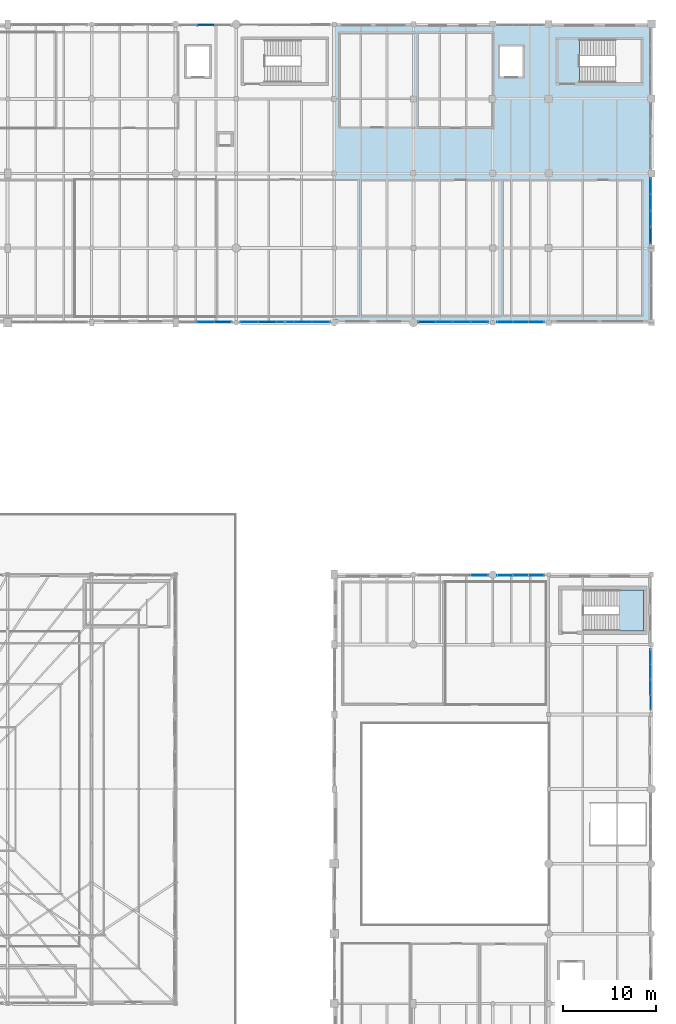
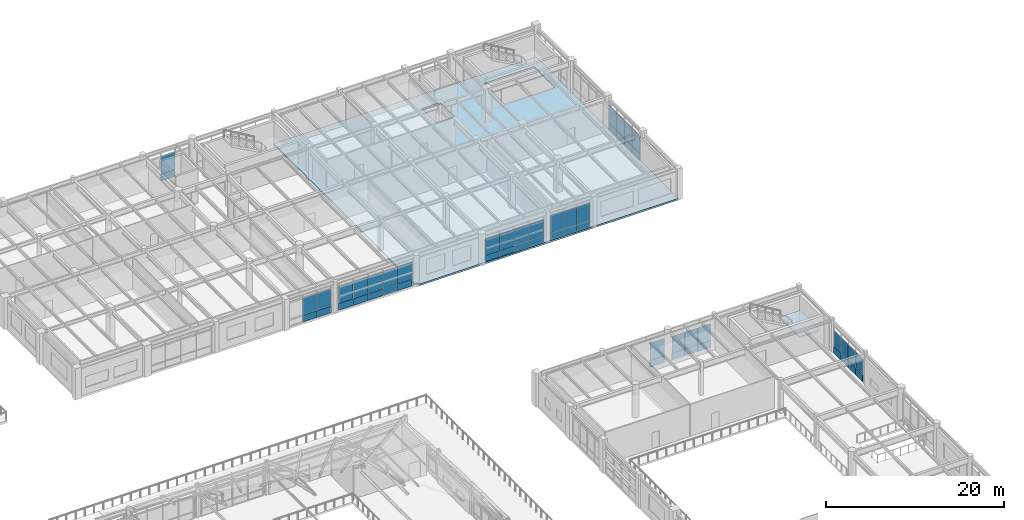
# One storey, part 138 of 168: 54 plates, 2 slabs, 10 elements without a shape of their own.
"""IFC4 building model written with IfcOpenShell, lengths in metres."""

from ifc_helpers import new_model, si_unit, direction, frame, origin, origin_2d, place, context, subcontext, project, spatial, polyline, rectangle, outline, extrude, material, layer, layer_set, type_object, element, aggregate, save


model = new_model("IFC4")

# Units and contexts
model_context = context("Model", 3, precision=1e-05, world=origin(), true_north=direction((0.0, 1.0)))
body_context = subcontext(model_context, "Body", "Model", "MODEL_VIEW")
ifc_project = project(units=[si_unit("LENGTHUNIT", "METRE"), si_unit("AREAUNIT", "SQUARE_METRE"), si_unit("VOLUMEUNIT", "CUBIC_METRE"), si_unit("PLANEANGLEUNIT", "RADIAN"), si_unit("MASSUNIT", "GRAM", prefix="KILO"), si_unit("THERMODYNAMICTEMPERATUREUNIT", "KELVIN"), si_unit("POWERUNIT", "WATT")], contexts=[model_context])

# Site, building, storey
site_placement = place(None, origin())
site = spatial("IfcSite", under=ifc_project, at=site_placement, CompositionType="ELEMENT")
building_placement = place(site_placement, origin())
building = spatial("IfcBuilding", under=site, at=building_placement, Name="Tepalcoro Natatorium and Aquatics Centre", CompositionType="ELEMENT")
storey_placement = place(building_placement, frame((0.0, 0.0, 10.199951171875)))
storey = spatial("IfcBuildingStorey", under=building, at=storey_placement, Name="L02", CompositionType="ELEMENT", Elevation=10.199951171875)

# Curtain wall, plate
ifc_material_1 = material(Name="Bronze-Anodised Extruded Aluminium Alloy EN AW-6063 T6", Category="aluminium")
curtain_wall_type_1 = type_object("IfcCurtainWallType", Name="CW_LEAN_T2_NS", PredefinedType="USERDEFINED", material=ifc_material_1)
curtain_wall_1_placement = place(storey_placement, origin())
curtain_wall_1 = element("IfcCurtainWall", 1, at=curtain_wall_1_placement, inside=storey, type_object=curtain_wall_type_1, Name="V2 L02 N Unitised Curtain Wall Bay 3", ObjectType="FACETED SOLAR GLAZING", PredefinedType="USERDEFINED")
ifc_material_2 = material(Name="Solar-Control Bronze Tempered Low-E Double Glazing", Category="glass")
ifc_layer_1 = layer(ifc_material_2, 0.048095703125)
ifc_layer_set_1 = layer_set([ifc_layer_1], Name="Solar-Control Bronze Tempered Low-E Double Glazing")
plate_type_1 = type_object("IfcPlateType", Name="PL_ACOUSTIC_IGU_48", PredefinedType="CURTAIN_PANEL", material=ifc_layer_set_1)
plate_1_placement = place(storey_placement, frame((162.0, 58.923828125, 0.9599609375), z_axis=(0.0, 0.0, 1.0), x_axis=(1.0, 0.0, 0.0)))
plate_1 = element("IfcPlate", 2, at=plate_1_placement, type_object=plate_type_1, Name="CW_LEAN_T2_NS Insulated Glazing Unit", PredefinedType="CURTAIN_PANEL", context=body_context, shape_type="SweptSolid", body=[
    extrude(rectangle(XDim=1.659912109375, YDim=0.048095703125, at=origin_2d()), origin(), (0.0, 0.0, 1.0), 2.2939453125),
])

curtain_wall_type_2 = type_object("IfcCurtainWallType", Name="CW_V3_FOYER", PredefinedType="USERDEFINED", material=ifc_material_1)
curtain_wall_2_placement = place(storey_placement, origin())
curtain_wall_2 = element("IfcCurtainWall", 3, at=curtain_wall_2_placement, inside=storey, type_object=curtain_wall_type_2, Name="V2 L02 E Unitised Curtain Wall Bay 6", ObjectType="UNITISED STOREFRONT", PredefinedType="USERDEFINED")
plate_2_placement = place(storey_placement, frame((175.9287109375, 48.5673828125, 0.944580078125), z_axis=(0.0, 0.0, 1.0), x_axis=(1.0, 0.0, 0.0)))
plate_2 = element("IfcPlate", 4, at=plate_2_placement, type_object=plate_type_1, Name="CW_V3_FOYER Insulated Glazing Unit", PredefinedType="CURTAIN_PANEL", context=body_context, shape_type="SweptSolid", body=[
    extrude(rectangle(XDim=0.048095703125, YDim=1.614990234375, at=origin_2d()), origin(), (0.0, 0.0, 1.0), 2.2333984375),
])

curtain_wall_type_3 = type_object("IfcCurtainWallType", Name="CW_V5_UPPER", PredefinedType="USERDEFINED", material=ifc_material_1)
curtain_wall_3_placement = place(storey_placement, origin())
curtain_wall_3 = element("IfcCurtainWall", 5, at=curtain_wall_3_placement, inside=storey, type_object=curtain_wall_type_3, Name="V5 L02 S Unitised Curtain Wall Bay 5", ObjectType="FACETED SOLAR GLAZING", PredefinedType="USERDEFINED")
plate_3_placement = place(storey_placement, frame((136.75, 86.0712890625, 0.9599609375), z_axis=(0.0, 0.0, 1.0), x_axis=(1.0, 0.0, 0.0)))
plate_3 = element("IfcPlate", 6, at=plate_3_placement, type_object=plate_type_1, Name="CW_V5_UPPER Insulated Glazing Unit", PredefinedType="CURTAIN_PANEL", context=body_context, shape_type="SweptSolid", body=[
    extrude(rectangle(XDim=1.887939453125, YDim=0.048095703125, at=origin_2d()), origin(), (0.0, 0.0, 1.0), 2.2900390625),
])

curtain_wall_type_4 = type_object("IfcCurtainWallType", Name="CW_LEAN_T1_EW", PredefinedType="USERDEFINED", material=ifc_material_1)
curtain_wall_4_placement = place(storey_placement, origin())
curtain_wall_4 = element("IfcCurtainWall", 7, at=curtain_wall_4_placement, inside=storey, type_object=curtain_wall_type_4, Name="V5 L02 S Unitised Curtain Wall Bay 7", ObjectType="FACETED SOLAR GLAZING", PredefinedType="USERDEFINED")
plate_4_placement = place(storey_placement, frame((153.8076171875, 86.0712890625, 0.92431640625), z_axis=(0.0, 0.0, 1.0), x_axis=(1.0, 0.0, 0.0)))
plate_4 = element("IfcPlate", 8, at=plate_4_placement, type_object=plate_type_1, Name="CW_LEAN_T1_EW Insulated Glazing Unit", PredefinedType="CURTAIN_PANEL", context=body_context, shape_type="SweptSolid", body=[
    extrude(rectangle(XDim=1.864990234375, YDim=0.048095703125, at=origin_2d()), origin(), (0.0, 0.0, 1.0), 2.173583984375),
])

curtain_wall_5_placement = place(storey_placement, origin())
curtain_wall_5 = element("IfcCurtainWall", 9, at=curtain_wall_5_placement, inside=storey, type_object=curtain_wall_type_1, Name="V5 L02 S Unitised Curtain Wall Bay 8", ObjectType="FACETED SOLAR GLAZING", PredefinedType="USERDEFINED")
plate_5_placement = place(storey_placement, frame((160.320068359375, 86.076171875, 0.960205078125), z_axis=(0.0, 0.0, 1.0), x_axis=(1.0, 0.0, 0.0)))
plate_5 = element("IfcPlate", 10, at=plate_5_placement, type_object=plate_type_1, Name="CW_LEAN_T2_NS Insulated Glazing Unit", PredefinedType="CURTAIN_PANEL", context=body_context, shape_type="SweptSolid", body=[
    extrude(rectangle(XDim=1.659912109375, YDim=0.048095703125, at=origin_2d()), origin(), (0.0, 0.0, 1.0), 2.3369140625),
])

# Curtain wall, plates
curtain_wall_6_placement = place(storey_placement, origin())
curtain_wall_6 = element("IfcCurtainWall", 11, at=curtain_wall_6_placement, inside=storey, type_object=curtain_wall_type_1, Name="V5 L02 E Unitised Curtain Wall Bay 2", ObjectType="FACETED SOLAR GLAZING", PredefinedType="USERDEFINED")
plate_6_placement = place(storey_placement, frame((175.923828125, 95.360107421875, 0.9599609375), z_axis=(0.0, 0.0, 1.0), x_axis=(1.0, 0.0, 0.0)))
plate_6 = element("IfcPlate", 12, at=plate_6_placement, type_object=plate_type_1, Name="CW_LEAN_T2_NS Insulated Glazing Unit", PredefinedType="CURTAIN_PANEL", context=body_context, shape_type="SweptSolid", body=[
    extrude(rectangle(XDim=0.048095703125, YDim=1.739990234375, at=origin_2d()), origin(), (0.0, 0.0, 1.0), 2.4169921875),
])
plate_7_placement = place(storey_placement, frame((175.923828125, 100.639892578125, 0.9599609375), z_axis=(0.0, 0.0, 1.0), x_axis=(1.0, 0.0, 0.0)))
plate_7 = element("IfcPlate", 13, at=plate_7_placement, type_object=plate_type_1, Name="CW_LEAN_T2_NS Insulated Glazing Unit", PredefinedType="CURTAIN_PANEL", context=body_context, shape_type="SweptSolid", body=[
    extrude(rectangle(XDim=0.048095703125, YDim=1.739990234375, at=origin_2d()), origin(), (0.0, 0.0, 1.0), 2.4169921875),
])

# Plate
ifc_layer_2 = layer(ifc_material_2, 0.028076171875)
ifc_layer_set_2 = layer_set([ifc_layer_2], Name="Solar-Control Bronze Tempered Low-E Double Glazing")
plate_type_2 = type_object("IfcPlateType", Name="PL_BRONZE_IGU_28", PredefinedType="CURTAIN_PANEL", material=ifc_layer_set_2)
plate_8_placement = place(storey_placement, frame((160.320068359375, 58.923828125, 0.9599609375), z_axis=(0.0, 0.0, 1.0), x_axis=(1.0, 0.0, 0.0)))
plate_8 = element("IfcPlate", 14, at=plate_8_placement, type_object=plate_type_2, Name="CW_LEAN_T2_NS Insulated Glazing Unit", PredefinedType="CURTAIN_PANEL", context=body_context, shape_type="SweptSolid", body=[
    extrude(rectangle(XDim=1.659912109375, YDim=0.028076171875, at=origin_2d()), origin(), (0.0, 0.0, 1.0), 2.2939453125),
])

plate_9_placement = place(storey_placement, frame((175.9287109375, 46.9326171875, 0.944580078125), z_axis=(0.0, 0.0, 1.0), x_axis=(1.0, 0.0, 0.0)))
plate_9 = element("IfcPlate", 15, at=plate_9_placement, type_object=plate_type_2, Name="CW_V3_FOYER Insulated Glazing Unit", PredefinedType="CURTAIN_PANEL", context=body_context, shape_type="SweptSolid", body=[
    extrude(rectangle(XDim=0.028076171875, YDim=1.614990234375, at=origin_2d()), origin(), (0.0, 0.0, 1.0), 2.2333984375),
])

# Curtain wall, plate
curtain_wall_type_5 = type_object("IfcCurtainWallType", Name="CW_V5_LOWER", PredefinedType="USERDEFINED", material=ifc_material_1)
curtain_wall_7_placement = place(storey_placement, origin())
curtain_wall_7 = element("IfcCurtainWall", 16, at=curtain_wall_7_placement, inside=storey, type_object=curtain_wall_type_5, Name="V5 L02 S Unitised Curtain Wall Bay 4", ObjectType="UNITISED STOREFRONT", PredefinedType="USERDEFINED")
plate_10_placement = place(storey_placement, frame((130.0966796875, 86.080078125, 0.960205078125), z_axis=(0.0, 0.0, 1.0), x_axis=(1.0, 0.0, 0.0)))
plate_10 = element("IfcPlate", 17, at=plate_10_placement, type_object=plate_type_2, Name="CW_V5_LOWER Insulated Glazing Unit", PredefinedType="CURTAIN_PANEL", context=body_context, shape_type="SweptSolid", body=[
    extrude(rectangle(XDim=1.82666015625, YDim=0.028076171875, at=origin_2d()), origin(), (0.0, 0.0, 1.0), 2.3369140625),
])

# Plate
plate_11_placement = place(storey_placement, frame((134.842041015625, 86.0712890625, 0.9599609375), z_axis=(0.0, 0.0, 1.0), x_axis=(1.0, 0.0, 0.0)))
plate_11 = element("IfcPlate", 18, at=plate_11_placement, type_object=plate_type_2, Name="CW_V5_UPPER Insulated Glazing Unit", PredefinedType="CURTAIN_PANEL", context=body_context, shape_type="SweptSolid", body=[
    extrude(rectangle(XDim=1.887939453125, YDim=0.028076171875, at=origin_2d()), origin(), (0.0, 0.0, 1.0), 2.2900390625),
])

plate_12_placement = place(storey_placement, frame((140.56591796875, 86.0712890625, 0.9599609375), z_axis=(0.0, 0.0, 1.0), x_axis=(1.0, 0.0, 0.0)))
plate_12 = element("IfcPlate", 19, at=plate_12_placement, type_object=plate_type_2, Name="CW_V5_UPPER Insulated Glazing Unit", PredefinedType="CURTAIN_PANEL", context=body_context, shape_type="SweptSolid", body=[
    extrude(rectangle(XDim=1.887939453125, YDim=0.028076171875, at=origin_2d()), origin(), (0.0, 0.0, 1.0), 2.2900390625),
])

plate_13_placement = place(storey_placement, frame((151.922607421875, 86.0712890625, 0.92431640625), z_axis=(0.0, 0.0, 1.0), x_axis=(1.0, 0.0, 0.0)))
plate_13 = element("IfcPlate", 20, at=plate_13_placement, type_object=plate_type_2, Name="CW_LEAN_T1_EW Insulated Glazing Unit", PredefinedType="CURTAIN_PANEL", context=body_context, shape_type="SweptSolid", body=[
    extrude(rectangle(XDim=1.864990234375, YDim=0.028076171875, at=origin_2d()), origin(), (0.0, 0.0, 1.0), 2.173583984375),
])

plate_14_placement = place(storey_placement, frame((157.577392578125, 86.0712890625, 0.92431640625), z_axis=(0.0, 0.0, 1.0), x_axis=(1.0, 0.0, 0.0)))
plate_14 = element("IfcPlate", 21, at=plate_14_placement, type_object=plate_type_2, Name="CW_LEAN_T1_EW Insulated Glazing Unit", PredefinedType="CURTAIN_PANEL", context=body_context, shape_type="SweptSolid", body=[
    extrude(rectangle(XDim=1.864990234375, YDim=0.028076171875, at=origin_2d()), origin(), (0.0, 0.0, 1.0), 2.173583984375),
])

plate_15_placement = place(storey_placement, frame((163.679931640625, 86.076171875, 0.960205078125), z_axis=(0.0, 0.0, 1.0), x_axis=(1.0, 0.0, 0.0)))
plate_15 = element("IfcPlate", 22, at=plate_15_placement, type_object=plate_type_2, Name="CW_LEAN_T2_NS Insulated Glazing Unit", PredefinedType="CURTAIN_PANEL", context=body_context, shape_type="SweptSolid", body=[
    extrude(rectangle(XDim=1.659912109375, YDim=0.028076171875, at=origin_2d()), origin(), (0.0, 0.0, 1.0), 2.3369140625),
])

plate_16_placement = place(storey_placement, frame((175.923828125, 98.8798828125, 0.9599609375), z_axis=(0.0, 0.0, 1.0), x_axis=(1.0, 0.0, 0.0)))
plate_16 = element("IfcPlate", 23, at=plate_16_placement, type_object=plate_type_2, Name="CW_LEAN_T2_NS Insulated Glazing Unit", PredefinedType="CURTAIN_PANEL", context=body_context, shape_type="SweptSolid", body=[
    extrude(rectangle(XDim=0.028076171875, YDim=1.739990234375, at=origin_2d()), origin(), (0.0, 0.0, 1.0), 2.4169921875),
])

# Curtain wall, plate
curtain_wall_8_placement = place(storey_placement, origin())
curtain_wall_8 = element("IfcCurtainWall", 24, at=curtain_wall_8_placement, inside=storey, type_object=curtain_wall_type_4, Name="V2 L02 N Unitised Curtain Wall Bay 2", ObjectType="FACETED SOLAR GLAZING", PredefinedType="USERDEFINED")
ifc_material_3 = material(Name="Jalisco Cantera Rosa Volcanic Tuff Ashlar Masonry", Category="masonry")
ifc_layer_3 = layer(ifc_material_3, 0.090087890625)
ifc_layer_set_3 = layer_set([ifc_layer_3], Name="Jalisco Cantera Rosa Volcanic Tuff Ashlar Masonry")
plate_type_3 = type_object("IfcPlateType", Name="PL_CANTERA_90", PredefinedType="SHEET", material=ifc_layer_set_3)
plate_17_placement = place(storey_placement, frame((157.577392578125, 58.9287109375, 0.044921875), z_axis=(0.0, 0.0, 1.0), x_axis=(1.0, 0.0, 0.0)))
plate_17 = element("IfcPlate", 25, at=plate_17_placement, type_object=plate_type_3, Name="CW_LEAN_T1_EW Spandrel & Screen Panel", PredefinedType="SHEET", context=body_context, shape_type="SweptSolid", body=[
    extrude(rectangle(XDim=1.864990234375, YDim=0.090087890625, at=origin_2d()), origin(), (0.0, 0.0, 1.0), 0.909912109375),
])

# Plate
plate_18_placement = place(storey_placement, frame((163.679931640625, 58.923828125, 0.044921875), z_axis=(0.0, 0.0, 1.0), x_axis=(1.0, 0.0, 0.0)))
plate_18 = element("IfcPlate", 26, at=plate_18_placement, type_object=plate_type_3, Name="CW_LEAN_T2_NS Spandrel & Screen Panel", PredefinedType="SHEET", context=body_context, shape_type="SweptSolid", body=[
    extrude(rectangle(XDim=1.659912109375, YDim=0.090087890625, at=origin_2d()), origin(), (0.0, 0.0, 1.0), 0.909912109375),
])

plate_19_placement = place(storey_placement, frame((128.25, 86.080078125, 0.044921875), z_axis=(0.0, 0.0, 1.0), x_axis=(1.0, 0.0, 0.0)))
plate_19 = element("IfcPlate", 27, at=plate_19_placement, type_object=plate_type_3, Name="CW_V5_LOWER Spandrel & Screen Panel", PredefinedType="SHEET", context=body_context, shape_type="SweptSolid", body=[
    extrude(rectangle(XDim=1.82666015625, YDim=0.090087890625, at=origin_2d()), origin(), (0.0, 0.0, 1.0), 0.909912109375),
])

plate_20_placement = place(storey_placement, frame((132.93408203125, 86.0712890625, 0.044921875), z_axis=(0.0, 0.0, 1.0), x_axis=(1.0, 0.0, 0.0)))
plate_20 = element("IfcPlate", 28, at=plate_20_placement, type_object=plate_type_3, Name="CW_V5_UPPER Spandrel & Screen Panel", PredefinedType="SHEET", context=body_context, shape_type="SweptSolid", body=[
    extrude(rectangle(XDim=1.887939453125, YDim=0.090087890625, at=origin_2d()), origin(), (0.0, 0.0, 1.0), 0.909912109375),
])

ifc_material_4 = material(Name="Clear Tempered Low-E Safety Glazing", Category="glass")
ifc_layer_4 = layer(ifc_material_4, 0.011962890625)
ifc_layer_set_4 = layer_set([ifc_layer_4], Name="Clear Tempered Low-E Safety Glazing")
plate_type_4 = type_object("IfcPlateType", Name="PL_GLASS_12", PredefinedType="CURTAIN_PANEL", material=ifc_layer_set_4)
plate_21_placement = place(storey_placement, frame((157.577392578125, 58.9287109375, 0.9599609375), z_axis=(0.0, 0.0, 1.0), x_axis=(1.0, 0.0, 0.0)))
plate_21 = element("IfcPlate", 29, at=plate_21_placement, type_object=plate_type_4, Name="CW_LEAN_T1_EW Insulated Glazing Unit", PredefinedType="CURTAIN_PANEL", context=body_context, shape_type="SweptSolid", body=[
    extrude(rectangle(XDim=1.864990234375, YDim=0.011962890625, at=origin_2d()), origin(), (0.0, 0.0, 1.0), 2.3701171875),
])

aggregate(curtain_wall_8, [plate_21, plate_17])

plate_22_placement = place(storey_placement, frame((163.679931640625, 58.923828125, 0.9599609375), z_axis=(0.0, 0.0, 1.0), x_axis=(1.0, 0.0, 0.0)))
plate_22 = element("IfcPlate", 30, at=plate_22_placement, type_object=plate_type_4, Name="CW_LEAN_T2_NS Insulated Glazing Unit", PredefinedType="CURTAIN_PANEL", context=body_context, shape_type="SweptSolid", body=[
    extrude(rectangle(XDim=1.659912109375, YDim=0.011962890625, at=origin_2d()), origin(), (0.0, 0.0, 1.0), 2.2939453125),
])

plate_23_placement = place(storey_placement, frame((175.9287109375, 45.297607421875, 0.944580078125), z_axis=(0.0, 0.0, 1.0), x_axis=(1.0, 0.0, 0.0)))
plate_23 = element("IfcPlate", 31, at=plate_23_placement, type_object=plate_type_4, Name="CW_V3_FOYER Insulated Glazing Unit", PredefinedType="CURTAIN_PANEL", context=body_context, shape_type="SweptSolid", body=[
    extrude(rectangle(XDim=0.011962890625, YDim=1.614990234375, at=origin_2d()), origin(), (0.0, 0.0, 1.0), 2.2333984375),
])

plate_24_placement = place(storey_placement, frame((175.9287109375, 50.202392578125, 0.944580078125), z_axis=(0.0, 0.0, 1.0), x_axis=(1.0, 0.0, 0.0)))
plate_24 = element("IfcPlate", 32, at=plate_24_placement, type_object=plate_type_4, Name="CW_V3_FOYER Insulated Glazing Unit", PredefinedType="CURTAIN_PANEL", context=body_context, shape_type="SweptSolid", body=[
    extrude(rectangle(XDim=0.011962890625, YDim=1.614990234375, at=origin_2d()), origin(), (0.0, 0.0, 1.0), 2.2333984375),
])

plate_25_placement = place(storey_placement, frame((128.25, 86.080078125, 0.960205078125), z_axis=(0.0, 0.0, 1.0), x_axis=(1.0, 0.0, 0.0)))
plate_25 = element("IfcPlate", 33, at=plate_25_placement, type_object=plate_type_4, Name="CW_V5_LOWER Insulated Glazing Unit", PredefinedType="CURTAIN_PANEL", context=body_context, shape_type="SweptSolid", body=[
    extrude(rectangle(XDim=1.82666015625, YDim=0.011962890625, at=origin_2d()), origin(), (0.0, 0.0, 1.0), 2.3369140625),
])

plate_26_placement = place(storey_placement, frame((132.93408203125, 86.0712890625, 0.9599609375), z_axis=(0.0, 0.0, 1.0), x_axis=(1.0, 0.0, 0.0)))
plate_26 = element("IfcPlate", 34, at=plate_26_placement, type_object=plate_type_4, Name="CW_V5_UPPER Insulated Glazing Unit", PredefinedType="CURTAIN_PANEL", context=body_context, shape_type="SweptSolid", body=[
    extrude(rectangle(XDim=1.887939453125, YDim=0.011962890625, at=origin_2d()), origin(), (0.0, 0.0, 1.0), 2.2900390625),
])

plate_27_placement = place(storey_placement, frame((138.657958984375, 86.0712890625, 0.9599609375), z_axis=(0.0, 0.0, 1.0), x_axis=(1.0, 0.0, 0.0)))
plate_27 = element("IfcPlate", 35, at=plate_27_placement, type_object=plate_type_4, Name="CW_V5_UPPER Insulated Glazing Unit", PredefinedType="CURTAIN_PANEL", context=body_context, shape_type="SweptSolid", body=[
    extrude(rectangle(XDim=1.887939453125, YDim=0.011962890625, at=origin_2d()), origin(), (0.0, 0.0, 1.0), 2.2900390625),
])

plate_28_placement = place(storey_placement, frame((155.6923828125, 86.0712890625, 0.92431640625), z_axis=(0.0, 0.0, 1.0), x_axis=(1.0, 0.0, 0.0)))
plate_28 = element("IfcPlate", 36, at=plate_28_placement, type_object=plate_type_4, Name="CW_LEAN_T1_EW Insulated Glazing Unit", PredefinedType="CURTAIN_PANEL", context=body_context, shape_type="SweptSolid", body=[
    extrude(rectangle(XDim=1.864990234375, YDim=0.011962890625, at=origin_2d()), origin(), (0.0, 0.0, 1.0), 2.173583984375),
])

plate_29_placement = place(storey_placement, frame((162.0, 86.076171875, 0.960205078125), z_axis=(0.0, 0.0, 1.0), x_axis=(1.0, 0.0, 0.0)))
plate_29 = element("IfcPlate", 37, at=plate_29_placement, type_object=plate_type_4, Name="CW_LEAN_T2_NS Insulated Glazing Unit", PredefinedType="CURTAIN_PANEL", context=body_context, shape_type="SweptSolid", body=[
    extrude(rectangle(XDim=1.659912109375, YDim=0.011962890625, at=origin_2d()), origin(), (0.0, 0.0, 1.0), 2.3369140625),
])

# Curtain wall, plate
curtain_wall_type_6 = type_object("IfcCurtainWallType", Name="CW_LEAN_T2_EW", PredefinedType="USERDEFINED", material=ifc_material_1)
curtain_wall_9_placement = place(storey_placement, origin())
curtain_wall_9 = element("IfcCurtainWall", 38, at=curtain_wall_9_placement, inside=storey, type_object=curtain_wall_type_6, Name="V5 L02 N Unitised Curtain Wall Bay 4", ObjectType="FACETED SOLAR GLAZING", PredefinedType="USERDEFINED")
plate_30_placement = place(storey_placement, frame((128.25, 117.919921875, 0.9599609375), z_axis=(0.0, 0.0, 1.0), x_axis=(1.0, 0.0, 0.0)))
plate_30 = element("IfcPlate", 39, at=plate_30_placement, type_object=plate_type_4, Name="CW_LEAN_T2_EW Insulated Glazing Unit", PredefinedType="CURTAIN_PANEL", context=body_context, shape_type="SweptSolid", body=[
    extrude(rectangle(XDim=1.82666015625, YDim=0.011962890625, at=origin_2d()), origin(), (0.0, 0.0, 1.0), 2.4169921875),
])

# Plate
plate_31_placement = place(storey_placement, frame((175.923828125, 97.1201171875, 0.9599609375), z_axis=(0.0, 0.0, 1.0), x_axis=(1.0, 0.0, 0.0)))
plate_31 = element("IfcPlate", 40, at=plate_31_placement, type_object=plate_type_4, Name="CW_LEAN_T2_NS Insulated Glazing Unit", PredefinedType="CURTAIN_PANEL", context=body_context, shape_type="SweptSolid", body=[
    extrude(rectangle(XDim=0.011962890625, YDim=1.739990234375, at=origin_2d()), origin(), (0.0, 0.0, 1.0), 2.4169921875),
])

ifc_material_5 = material(Name="Volcanic Recinto Basalt Ashlar Masonry", Category="masonry")
ifc_layer_5 = layer(ifc_material_5, 0.110107421875)
ifc_layer_set_5 = layer_set([ifc_layer_5], Name="Volcanic Recinto Basalt Ashlar Masonry")
plate_type_5 = type_object("IfcPlateType", Name="PL_RECINTO_110", PredefinedType="SHEET", material=ifc_layer_set_5)
plate_32_placement = place(storey_placement, frame((175.9287109375, 45.297607421875, 0.044921875), z_axis=(0.0, 0.0, 1.0), x_axis=(1.0, 0.0, 0.0)))
plate_32 = element("IfcPlate", 41, at=plate_32_placement, type_object=plate_type_5, Name="CW_V3_FOYER Spandrel & Screen Panel", PredefinedType="SHEET", context=body_context, shape_type="SweptSolid", body=[
    extrude(rectangle(XDim=0.110107421875, YDim=1.614990234375, at=origin_2d()), origin(), (0.0, 0.0, 1.0), 0.89453125),
])

plate_33_placement = place(storey_placement, frame((130.0966796875, 86.080078125, 0.044921875), z_axis=(0.0, 0.0, 1.0), x_axis=(1.0, 0.0, 0.0)))
plate_33 = element("IfcPlate", 42, at=plate_33_placement, type_object=plate_type_5, Name="CW_V5_LOWER Spandrel & Screen Panel", PredefinedType="SHEET", context=body_context, shape_type="SweptSolid", body=[
    extrude(rectangle(XDim=1.82666015625, YDim=0.110107421875, at=origin_2d()), origin(), (0.0, 0.0, 1.0), 0.909912109375),
])

aggregate(curtain_wall_7, [plate_25, plate_19, plate_10, plate_33])

plate_34_placement = place(storey_placement, frame((134.842041015625, 86.0712890625, 0.044921875), z_axis=(0.0, 0.0, 1.0), x_axis=(1.0, 0.0, 0.0)))
plate_34 = element("IfcPlate", 43, at=plate_34_placement, type_object=plate_type_5, Name="CW_V5_UPPER Spandrel & Screen Panel", PredefinedType="SHEET", context=body_context, shape_type="SweptSolid", body=[
    extrude(rectangle(XDim=1.887939453125, YDim=0.110107421875, at=origin_2d()), origin(), (0.0, 0.0, 1.0), 0.909912109375),
])

plate_35_placement = place(storey_placement, frame((151.922607421875, 86.0712890625, 0.044921875), z_axis=(0.0, 0.0, 1.0), x_axis=(1.0, 0.0, 0.0)))
plate_35 = element("IfcPlate", 44, at=plate_35_placement, type_object=plate_type_5, Name="CW_LEAN_T1_EW Spandrel & Screen Panel", PredefinedType="SHEET", context=body_context, shape_type="SweptSolid", body=[
    extrude(rectangle(XDim=1.864990234375, YDim=0.110107421875, at=origin_2d()), origin(), (0.0, 0.0, 1.0), 0.87451171875),
])

plate_36_placement = place(storey_placement, frame((128.25, 117.919921875, 0.044921875), z_axis=(0.0, 0.0, 1.0), x_axis=(1.0, 0.0, 0.0)))
plate_36 = element("IfcPlate", 45, at=plate_36_placement, type_object=plate_type_5, Name="CW_LEAN_T2_EW Spandrel & Screen Panel", PredefinedType="SHEET", context=body_context, shape_type="SweptSolid", body=[
    extrude(rectangle(XDim=1.82666015625, YDim=0.110107421875, at=origin_2d()), origin(), (0.0, 0.0, 1.0), 0.909912109375),
])

aggregate(curtain_wall_9, [plate_30, plate_36])

plate_37_placement = place(storey_placement, frame((175.923828125, 95.360107421875, 0.044921875), z_axis=(0.0, 0.0, 1.0), x_axis=(1.0, 0.0, 0.0)))
plate_37 = element("IfcPlate", 46, at=plate_37_placement, type_object=plate_type_5, Name="CW_LEAN_T2_NS Spandrel & Screen Panel", PredefinedType="SHEET", context=body_context, shape_type="SweptSolid", body=[
    extrude(rectangle(XDim=0.110107421875, YDim=1.739990234375, at=origin_2d()), origin(), (0.0, 0.0, 1.0), 0.909912109375),
])

ifc_layer_6 = layer(ifc_material_1, 0.050048828125)
ifc_layer_set_6 = layer_set([ifc_layer_6], Name="Bronze-Anodised Extruded Aluminium Alloy EN AW-6063 T6")
plate_type_6 = type_object("IfcPlateType", Name="PL_SCREEN_50", PredefinedType="SHEET", material=ifc_layer_set_6)
plate_38_placement = place(storey_placement, frame((160.320068359375, 58.923828125, 0.044921875), z_axis=(0.0, 0.0, 1.0), x_axis=(1.0, 0.0, 0.0)))
plate_38 = element("IfcPlate", 47, at=plate_38_placement, type_object=plate_type_6, Name="CW_LEAN_T2_NS Spandrel & Screen Panel", PredefinedType="SHEET", context=body_context, shape_type="SweptSolid", body=[
    extrude(rectangle(XDim=1.659912109375, YDim=0.050048828125, at=origin_2d()), origin(), (0.0, 0.0, 1.0), 0.909912109375),
])

plate_39_placement = place(storey_placement, frame((175.9287109375, 48.5673828125, 0.044921875), z_axis=(0.0, 0.0, 1.0), x_axis=(1.0, 0.0, 0.0)))
plate_39 = element("IfcPlate", 48, at=plate_39_placement, type_object=plate_type_6, Name="CW_V3_FOYER Spandrel & Screen Panel", PredefinedType="SHEET", context=body_context, shape_type="SweptSolid", body=[
    extrude(rectangle(XDim=0.050048828125, YDim=1.614990234375, at=origin_2d()), origin(), (0.0, 0.0, 1.0), 0.89453125),
])

plate_40_placement = place(storey_placement, frame((138.657958984375, 86.0712890625, 0.044921875), z_axis=(0.0, 0.0, 1.0), x_axis=(1.0, 0.0, 0.0)))
plate_40 = element("IfcPlate", 49, at=plate_40_placement, type_object=plate_type_6, Name="CW_V5_UPPER Spandrel & Screen Panel", PredefinedType="SHEET", context=body_context, shape_type="SweptSolid", body=[
    extrude(rectangle(XDim=1.887939453125, YDim=0.050048828125, at=origin_2d()), origin(), (0.0, 0.0, 1.0), 0.909912109375),
])

plate_41_placement = place(storey_placement, frame((155.6923828125, 86.0712890625, 0.044921875), z_axis=(0.0, 0.0, 1.0), x_axis=(1.0, 0.0, 0.0)))
plate_41 = element("IfcPlate", 50, at=plate_41_placement, type_object=plate_type_6, Name="CW_LEAN_T1_EW Spandrel & Screen Panel", PredefinedType="SHEET", context=body_context, shape_type="SweptSolid", body=[
    extrude(rectangle(XDim=1.864990234375, YDim=0.050048828125, at=origin_2d()), origin(), (0.0, 0.0, 1.0), 0.87451171875),
])

plate_42_placement = place(storey_placement, frame((162.0, 86.076171875, 0.044921875), z_axis=(0.0, 0.0, 1.0), x_axis=(1.0, 0.0, 0.0)))
plate_42 = element("IfcPlate", 51, at=plate_42_placement, type_object=plate_type_6, Name="CW_LEAN_T2_NS Spandrel & Screen Panel", PredefinedType="SHEET", context=body_context, shape_type="SweptSolid", body=[
    extrude(rectangle(XDim=1.659912109375, YDim=0.050048828125, at=origin_2d()), origin(), (0.0, 0.0, 1.0), 0.909912109375),
])

plate_43_placement = place(storey_placement, frame((175.923828125, 98.8798828125, 0.044921875), z_axis=(0.0, 0.0, 1.0), x_axis=(1.0, 0.0, 0.0)))
plate_43 = element("IfcPlate", 52, at=plate_43_placement, type_object=plate_type_6, Name="CW_LEAN_T2_NS Spandrel & Screen Panel", PredefinedType="SHEET", context=body_context, shape_type="SweptSolid", body=[
    extrude(rectangle(XDim=0.050048828125, YDim=1.739990234375, at=origin_2d()), origin(), (0.0, 0.0, 1.0), 0.909912109375),
])

ifc_layer_7 = layer(ifc_material_1, 0.06005859375)
ifc_layer_set_7 = layer_set([ifc_layer_7], Name="Bronze-Anodised Extruded Aluminium Alloy EN AW-6063 T6")
plate_type_7 = type_object("IfcPlateType", Name="PL_SCREEN_60", PredefinedType="SHEET", material=ifc_layer_set_7)
plate_44_placement = place(storey_placement, frame((162.0, 58.923828125, 0.044921875), z_axis=(0.0, 0.0, 1.0), x_axis=(1.0, 0.0, 0.0)))
plate_44 = element("IfcPlate", 53, at=plate_44_placement, type_object=plate_type_7, Name="CW_LEAN_T2_NS Spandrel & Screen Panel", PredefinedType="SHEET", context=body_context, shape_type="SweptSolid", body=[
    extrude(rectangle(XDim=1.659912109375, YDim=0.06005859375, at=origin_2d()), origin(), (0.0, 0.0, 1.0), 0.909912109375),
])

aggregate(curtain_wall_1, [plate_8, plate_38, plate_1, plate_44, plate_22, plate_18])

plate_45_placement = place(storey_placement, frame((175.9287109375, 50.202392578125, 0.044921875), z_axis=(0.0, 0.0, 1.0), x_axis=(1.0, 0.0, 0.0)))
plate_45 = element("IfcPlate", 54, at=plate_45_placement, type_object=plate_type_7, Name="CW_V3_FOYER Spandrel & Screen Panel", PredefinedType="SHEET", context=body_context, shape_type="SweptSolid", body=[
    extrude(rectangle(XDim=0.06005859375, YDim=1.614990234375, at=origin_2d()), origin(), (0.0, 0.0, 1.0), 0.89453125),
])

plate_46_placement = place(storey_placement, frame((140.56591796875, 86.0712890625, 0.044921875), z_axis=(0.0, 0.0, 1.0), x_axis=(1.0, 0.0, 0.0)))
plate_46 = element("IfcPlate", 55, at=plate_46_placement, type_object=plate_type_7, Name="CW_V5_UPPER Spandrel & Screen Panel", PredefinedType="SHEET", context=body_context, shape_type="SweptSolid", body=[
    extrude(rectangle(XDim=1.887939453125, YDim=0.06005859375, at=origin_2d()), origin(), (0.0, 0.0, 1.0), 0.909912109375),
])

plate_47_placement = place(storey_placement, frame((157.577392578125, 86.0712890625, 0.044921875), z_axis=(0.0, 0.0, 1.0), x_axis=(1.0, 0.0, 0.0)))
plate_47 = element("IfcPlate", 56, at=plate_47_placement, type_object=plate_type_7, Name="CW_LEAN_T1_EW Spandrel & Screen Panel", PredefinedType="SHEET", context=body_context, shape_type="SweptSolid", body=[
    extrude(rectangle(XDim=1.864990234375, YDim=0.06005859375, at=origin_2d()), origin(), (0.0, 0.0, 1.0), 0.87451171875),
])

plate_48_placement = place(storey_placement, frame((163.679931640625, 86.076171875, 0.044921875), z_axis=(0.0, 0.0, 1.0), x_axis=(1.0, 0.0, 0.0)))
plate_48 = element("IfcPlate", 57, at=plate_48_placement, type_object=plate_type_7, Name="CW_LEAN_T2_NS Spandrel & Screen Panel", PredefinedType="SHEET", context=body_context, shape_type="SweptSolid", body=[
    extrude(rectangle(XDim=1.659912109375, YDim=0.06005859375, at=origin_2d()), origin(), (0.0, 0.0, 1.0), 0.909912109375),
])

plate_49_placement = place(storey_placement, frame((175.923828125, 100.639892578125, 0.044921875), z_axis=(0.0, 0.0, 1.0), x_axis=(1.0, 0.0, 0.0)))
plate_49 = element("IfcPlate", 58, at=plate_49_placement, type_object=plate_type_7, Name="CW_LEAN_T2_NS Spandrel & Screen Panel", PredefinedType="SHEET", context=body_context, shape_type="SweptSolid", body=[
    extrude(rectangle(XDim=0.06005859375, YDim=1.739990234375, at=origin_2d()), origin(), (0.0, 0.0, 1.0), 0.909912109375),
])

ifc_material_6 = material(Name="Insulated Bronze Anodised Aluminium Spandrel Panel", Category="aluminium")
ifc_layer_8 = layer(ifc_material_6, 0.070068359375)
ifc_layer_set_8 = layer_set([ifc_layer_8], Name="Insulated Bronze Anodised Aluminium Spandrel Panel")
plate_type_8 = type_object("IfcPlateType", Name="PL_SPANDREL_70", PredefinedType="CURTAIN_PANEL", material=ifc_layer_set_8)
plate_50_placement = place(storey_placement, frame((175.9287109375, 46.9326171875, 0.044921875), z_axis=(0.0, 0.0, 1.0), x_axis=(1.0, 0.0, 0.0)))
plate_50 = element("IfcPlate", 59, at=plate_50_placement, type_object=plate_type_8, Name="CW_V3_FOYER Spandrel & Screen Panel", PredefinedType="CURTAIN_PANEL", context=body_context, shape_type="SweptSolid", body=[
    extrude(rectangle(XDim=0.070068359375, YDim=1.614990234375, at=origin_2d()), origin(), (0.0, 0.0, 1.0), 0.89453125),
])

aggregate(curtain_wall_2, [plate_23, plate_32, plate_9, plate_50, plate_2, plate_39, plate_24, plate_45])

plate_51_placement = place(storey_placement, frame((136.75, 86.0712890625, 0.044921875), z_axis=(0.0, 0.0, 1.0), x_axis=(1.0, 0.0, 0.0)))
plate_51 = element("IfcPlate", 60, at=plate_51_placement, type_object=plate_type_8, Name="CW_V5_UPPER Spandrel & Screen Panel", PredefinedType="CURTAIN_PANEL", context=body_context, shape_type="SweptSolid", body=[
    extrude(rectangle(XDim=1.887939453125, YDim=0.070068359375, at=origin_2d()), origin(), (0.0, 0.0, 1.0), 0.909912109375),
])

aggregate(curtain_wall_3, [plate_26, plate_20, plate_11, plate_34, plate_3, plate_51, plate_27, plate_40, plate_12, plate_46])

plate_52_placement = place(storey_placement, frame((153.8076171875, 86.0712890625, 0.044921875), z_axis=(0.0, 0.0, 1.0), x_axis=(1.0, 0.0, 0.0)))
plate_52 = element("IfcPlate", 61, at=plate_52_placement, type_object=plate_type_8, Name="CW_LEAN_T1_EW Spandrel & Screen Panel", PredefinedType="CURTAIN_PANEL", context=body_context, shape_type="SweptSolid", body=[
    extrude(rectangle(XDim=1.864990234375, YDim=0.070068359375, at=origin_2d()), origin(), (0.0, 0.0, 1.0), 0.87451171875),
])

aggregate(curtain_wall_4, [plate_13, plate_35, plate_4, plate_52, plate_28, plate_41, plate_14, plate_47])

plate_53_placement = place(storey_placement, frame((160.320068359375, 86.076171875, 0.044921875), z_axis=(0.0, 0.0, 1.0), x_axis=(1.0, 0.0, 0.0)))
plate_53 = element("IfcPlate", 62, at=plate_53_placement, type_object=plate_type_8, Name="CW_LEAN_T2_NS Spandrel & Screen Panel", PredefinedType="CURTAIN_PANEL", context=body_context, shape_type="SweptSolid", body=[
    extrude(rectangle(XDim=1.659912109375, YDim=0.070068359375, at=origin_2d()), origin(), (0.0, 0.0, 1.0), 0.909912109375),
])

aggregate(curtain_wall_5, [plate_5, plate_53, plate_29, plate_42, plate_15, plate_48])

plate_54_placement = place(storey_placement, frame((175.923828125, 97.1201171875, 0.044921875), z_axis=(0.0, 0.0, 1.0), x_axis=(1.0, 0.0, 0.0)))
plate_54 = element("IfcPlate", 63, at=plate_54_placement, type_object=plate_type_8, Name="CW_LEAN_T2_NS Spandrel & Screen Panel", PredefinedType="CURTAIN_PANEL", context=body_context, shape_type="SweptSolid", body=[
    extrude(rectangle(XDim=0.070068359375, YDim=1.739990234375, at=origin_2d()), origin(), (0.0, 0.0, 1.0), 0.909912109375),
])

aggregate(curtain_wall_6, [plate_6, plate_37, plate_31, plate_54, plate_16, plate_43, plate_7, plate_49])

# Slab
ifc_material_7 = material(Name="Concrete C35/45 (fc 35 MPa)", Category="concrete")
ifc_layer_9 = layer(ifc_material_7, 0.239990234375)
ifc_layer_set_9 = layer_set([ifc_layer_9], Name="Concrete C35/45 (fc 35 MPa)")
slab_type_1 = type_object("IfcSlabType", Name="SL_FLOOR_240", PredefinedType="FLOOR", material=ifc_layer_set_9)
slab_1_placement = place(storey_placement, frame((0.0, 0.0, -0.239990234375)))
element("IfcSlab", 64, at=slab_1_placement, inside=storey, type_object=slab_type_1, Name="V5 L02 Natatorium and Civic Floor Slab E", PredefinedType="FLOOR", context=body_context, shape_type="SweptSolid", body=[
    extrude(outline(polyline([(142.35009765625, 86.35009765625), (142.0, 86.35009765625), (142.0, 118.0), (176.0, 118.0), (176.0, 86.0), (142.35009765625, 86.0), (142.35009765625, 86.35009765625)]), holes=[polyline([(174.8701171875, 111.72998046875), (174.8701171875, 116.3701171875), (168.31005859375, 116.3701171875), (168.31005859375, 111.72998046875), (174.8701171875, 111.72998046875)]), polyline([(159.800048828125, 115.60009765625), (159.800048828125, 112.39990234375), (162.199951171875, 112.39990234375), (162.199951171875, 115.60009765625), (159.800048828125, 115.60009765625)])]), origin(), (0.0, 0.0, 1.0), 0.239990234375),
])

# Stair, slab
stair_type = type_object("IfcStairType", Name="ST_RC_1800_L00", PredefinedType="HALF_TURN_STAIR", material=ifc_material_7)
stair_placement = place(storey_placement, origin())
stair = element("IfcStair", 65, at=stair_placement, inside=storey, type_object=stair_type, Name="Diving Wing North Fire Stair (L02 to L03)", PredefinedType="HALF_TURN_STAIR")
ifc_layer_10 = layer(ifc_material_7, 0.199951171875)
ifc_layer_set_10 = layer_set([ifc_layer_10], Name="Concrete C35/45 (fc 35 MPa)")
slab_type_2 = type_object("IfcSlabType", Name="SL_LANDING_200", PredefinedType="LANDING", material=ifc_layer_set_10)
slab_2_placement = place(storey_placement, frame((0.0, 0.0, 2.10009765625)))
slab_2 = element("IfcSlab", 66, at=slab_2_placement, type_object=slab_type_2, Name="Diving Wing North Fire Stair (L02 to L03) Half-Landing", PredefinedType="LANDING", context=body_context, shape_type="SweptSolid", body=[
    extrude(outline(polyline([(172.56005859375, 52.929931640625), (175.169921875, 52.929931640625), (175.169921875, 57.3701171875), (172.56005859375, 57.3701171875), (172.56005859375, 52.929931640625)])), origin(), (0.0, 0.0, 1.0), 0.199951171875),
])
aggregate(stair, [slab_2])

save(model, "model.ifc")
